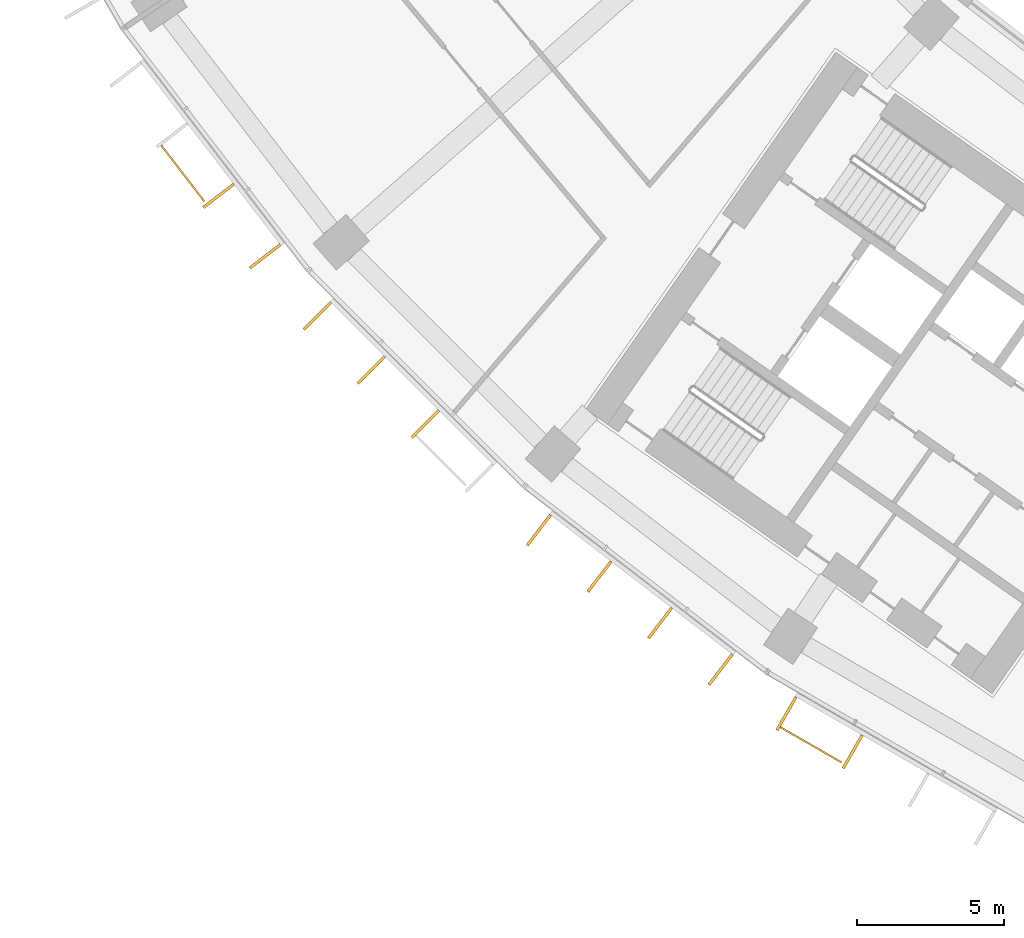
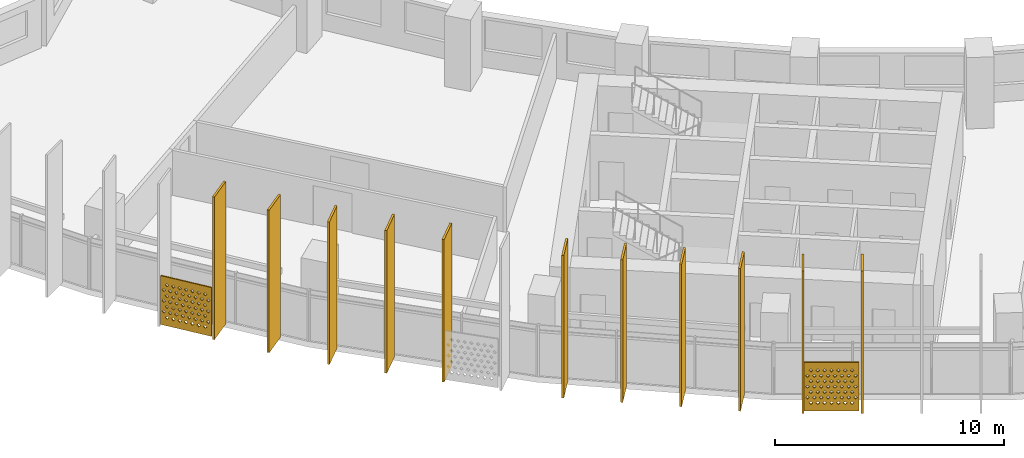
# One storey, part 23 of 30: 13 shading devices.
"""IFC4 building model written with IfcOpenShell, lengths in metres."""

from ifc_helpers import new_model, si_unit, direction, frame, origin, origin_2d, place, context, subcontext, project, spatial, polyline, rectangle, outline, extrude, material, material_profile, profile_set, type_object, element, save


model = new_model("IFC4")

# Units and contexts
model_context = context("Model", 3, precision=1e-05, world=origin(), true_north=direction((0.0, 1.0)))
body_context = subcontext(model_context, "Body", "Model", "MODEL_VIEW")
ifc_project = project(units=[si_unit("LENGTHUNIT", "METRE"), si_unit("AREAUNIT", "SQUARE_METRE"), si_unit("VOLUMEUNIT", "CUBIC_METRE"), si_unit("PLANEANGLEUNIT", "RADIAN"), si_unit("MASSUNIT", "GRAM", prefix="KILO")], contexts=[model_context])

# Site, building, storey
site_placement = place(None, origin())
site = spatial("IfcSite", under=ifc_project, at=site_placement, CompositionType="ELEMENT")
building_placement = place(site_placement, origin())
building = spatial("IfcBuilding", under=site, at=building_placement, Name="Qamariyya Broadcast Tower", CompositionType="ELEMENT")
storey_placement = place(building_placement, frame((0.0, 0.0, 110.10009765625)))
storey = spatial("IfcBuildingStorey", under=building, at=storey_placement, Name="L24", CompositionType="ELEMENT", Elevation=110.10009765625)

# Shading devices
ifc_material_1 = material(Name="Perforated glazed terracotta", Category="masonry")
ifc_material_profile_1 = material_profile(ifc_material_1, outline(polyline([(-1.199951171875, -1.300048828125), (1.199951171875, -1.300048828125), (1.199951171875, 1.300048828125), (-1.199951171875, 1.300048828125), (-1.199951171875, -1.300048828125)]), holes=[polyline([(-0.81494140625, -0.86669921875), (-0.89990234375, -0.78173828125), (-0.985107421875, -0.86669921875), (-0.89990234375, -0.95166015625), (-0.81494140625, -0.86669921875)]), polyline([(-0.514892578125, -0.86669921875), (-0.60009765625, -0.78173828125), (-0.68505859375, -0.86669921875), (-0.60009765625, -0.95166015625), (-0.514892578125, -0.86669921875)]), polyline([(-0.215087890625, -0.86669921875), (-0.300048828125, -0.78173828125), (-0.385009765625, -0.86669921875), (-0.300048828125, -0.95166015625), (-0.215087890625, -0.86669921875)]), polyline([(0.0849609375, -0.86669921875), (0.0, -0.78173828125), (-0.0849609375, -0.86669921875), (0.0, -0.95166015625), (0.0849609375, -0.86669921875)]), polyline([(0.385009765625, -0.86669921875), (0.300048828125, -0.78173828125), (0.215087890625, -0.86669921875), (0.300048828125, -0.95166015625), (0.385009765625, -0.86669921875)]), polyline([(0.68505859375, -0.86669921875), (0.60009765625, -0.78173828125), (0.514892578125, -0.86669921875), (0.60009765625, -0.95166015625), (0.68505859375, -0.86669921875)]), polyline([(0.985107421875, -0.86669921875), (0.89990234375, -0.78173828125), (0.81494140625, -0.86669921875), (0.89990234375, -0.95166015625), (0.985107421875, -0.86669921875)]), polyline([(-0.965087890625, -0.577880859375), (-1.050048828125, -0.49267578125), (-1.135009765625, -0.577880859375), (-1.050048828125, -0.662841796875), (-0.965087890625, -0.577880859375)]), polyline([(-0.6650390625, -0.577880859375), (-0.75, -0.49267578125), (-0.8349609375, -0.577880859375), (-0.75, -0.662841796875), (-0.6650390625, -0.577880859375)]), polyline([(-0.364990234375, -0.577880859375), (-0.449951171875, -0.49267578125), (-0.534912109375, -0.577880859375), (-0.449951171875, -0.662841796875), (-0.364990234375, -0.577880859375)]), polyline([(-0.06494140625, -0.577880859375), (-0.14990234375, -0.49267578125), (-0.235107421875, -0.577880859375), (-0.14990234375, -0.662841796875), (-0.06494140625, -0.577880859375)]), polyline([(0.235107421875, -0.577880859375), (0.14990234375, -0.49267578125), (0.06494140625, -0.577880859375), (0.14990234375, -0.662841796875), (0.235107421875, -0.577880859375)]), polyline([(0.534912109375, -0.577880859375), (0.449951171875, -0.49267578125), (0.364990234375, -0.577880859375), (0.449951171875, -0.662841796875), (0.534912109375, -0.577880859375)]), polyline([(0.8349609375, -0.577880859375), (0.75, -0.49267578125), (0.6650390625, -0.577880859375), (0.75, -0.662841796875), (0.8349609375, -0.577880859375)]), polyline([(1.135009765625, -0.577880859375), (1.050048828125, -0.49267578125), (0.965087890625, -0.577880859375), (1.050048828125, -0.662841796875), (1.135009765625, -0.577880859375)]), polyline([(-0.81494140625, -0.288818359375), (-0.89990234375, -0.203857421875), (-0.985107421875, -0.288818359375), (-0.89990234375, -0.373779296875), (-0.81494140625, -0.288818359375)]), polyline([(-0.514892578125, -0.288818359375), (-0.60009765625, -0.203857421875), (-0.68505859375, -0.288818359375), (-0.60009765625, -0.373779296875), (-0.514892578125, -0.288818359375)]), polyline([(-0.215087890625, -0.288818359375), (-0.300048828125, -0.203857421875), (-0.385009765625, -0.288818359375), (-0.300048828125, -0.373779296875), (-0.215087890625, -0.288818359375)]), polyline([(0.0849609375, -0.288818359375), (0.0, -0.203857421875), (-0.0849609375, -0.288818359375), (0.0, -0.373779296875), (0.0849609375, -0.288818359375)]), polyline([(0.385009765625, -0.288818359375), (0.300048828125, -0.203857421875), (0.215087890625, -0.288818359375), (0.300048828125, -0.373779296875), (0.385009765625, -0.288818359375)]), polyline([(0.68505859375, -0.288818359375), (0.60009765625, -0.203857421875), (0.514892578125, -0.288818359375), (0.60009765625, -0.373779296875), (0.68505859375, -0.288818359375)]), polyline([(0.985107421875, -0.288818359375), (0.89990234375, -0.203857421875), (0.81494140625, -0.288818359375), (0.89990234375, -0.373779296875), (0.985107421875, -0.288818359375)]), polyline([(-0.965087890625, 0.0), (-1.050048828125, 0.0849609375), (-1.135009765625, 0.0), (-1.050048828125, -0.0849609375), (-0.965087890625, 0.0)]), polyline([(-0.6650390625, 0.0), (-0.75, 0.0849609375), (-0.8349609375, 0.0), (-0.75, -0.0849609375), (-0.6650390625, 0.0)]), polyline([(-0.364990234375, 0.0), (-0.449951171875, 0.0849609375), (-0.534912109375, 0.0), (-0.449951171875, -0.0849609375), (-0.364990234375, 0.0)]), polyline([(-0.06494140625, 0.0), (-0.14990234375, 0.0849609375), (-0.235107421875, 0.0), (-0.14990234375, -0.0849609375), (-0.06494140625, 0.0)]), polyline([(0.235107421875, 0.0), (0.14990234375, 0.0849609375), (0.06494140625, 0.0), (0.14990234375, -0.0849609375), (0.235107421875, 0.0)]), polyline([(0.534912109375, 0.0), (0.449951171875, 0.0849609375), (0.364990234375, 0.0), (0.449951171875, -0.0849609375), (0.534912109375, 0.0)]), polyline([(0.8349609375, 0.0), (0.75, 0.0849609375), (0.6650390625, 0.0), (0.75, -0.0849609375), (0.8349609375, 0.0)]), polyline([(1.135009765625, 0.0), (1.050048828125, 0.0849609375), (0.965087890625, 0.0), (1.050048828125, -0.0849609375), (1.135009765625, 0.0)]), polyline([(-0.81494140625, 0.288818359375), (-0.89990234375, 0.373779296875), (-0.985107421875, 0.288818359375), (-0.89990234375, 0.203857421875), (-0.81494140625, 0.288818359375)]), polyline([(-0.514892578125, 0.288818359375), (-0.60009765625, 0.373779296875), (-0.68505859375, 0.288818359375), (-0.60009765625, 0.203857421875), (-0.514892578125, 0.288818359375)]), polyline([(-0.215087890625, 0.288818359375), (-0.300048828125, 0.373779296875), (-0.385009765625, 0.288818359375), (-0.300048828125, 0.203857421875), (-0.215087890625, 0.288818359375)]), polyline([(0.0849609375, 0.288818359375), (0.0, 0.373779296875), (-0.0849609375, 0.288818359375), (0.0, 0.203857421875), (0.0849609375, 0.288818359375)]), polyline([(0.385009765625, 0.288818359375), (0.300048828125, 0.373779296875), (0.215087890625, 0.288818359375), (0.300048828125, 0.203857421875), (0.385009765625, 0.288818359375)]), polyline([(0.68505859375, 0.288818359375), (0.60009765625, 0.373779296875), (0.514892578125, 0.288818359375), (0.60009765625, 0.203857421875), (0.68505859375, 0.288818359375)]), polyline([(0.985107421875, 0.288818359375), (0.89990234375, 0.373779296875), (0.81494140625, 0.288818359375), (0.89990234375, 0.203857421875), (0.985107421875, 0.288818359375)]), polyline([(-0.965087890625, 0.577880859375), (-1.050048828125, 0.662841796875), (-1.135009765625, 0.577880859375), (-1.050048828125, 0.49267578125), (-0.965087890625, 0.577880859375)]), polyline([(-0.6650390625, 0.577880859375), (-0.75, 0.662841796875), (-0.8349609375, 0.577880859375), (-0.75, 0.49267578125), (-0.6650390625, 0.577880859375)]), polyline([(-0.364990234375, 0.577880859375), (-0.449951171875, 0.662841796875), (-0.534912109375, 0.577880859375), (-0.449951171875, 0.49267578125), (-0.364990234375, 0.577880859375)]), polyline([(-0.06494140625, 0.577880859375), (-0.14990234375, 0.662841796875), (-0.235107421875, 0.577880859375), (-0.14990234375, 0.49267578125), (-0.06494140625, 0.577880859375)]), polyline([(0.235107421875, 0.577880859375), (0.14990234375, 0.662841796875), (0.06494140625, 0.577880859375), (0.14990234375, 0.49267578125), (0.235107421875, 0.577880859375)]), polyline([(0.534912109375, 0.577880859375), (0.449951171875, 0.662841796875), (0.364990234375, 0.577880859375), (0.449951171875, 0.49267578125), (0.534912109375, 0.577880859375)]), polyline([(0.8349609375, 0.577880859375), (0.75, 0.662841796875), (0.6650390625, 0.577880859375), (0.75, 0.49267578125), (0.8349609375, 0.577880859375)]), polyline([(1.135009765625, 0.577880859375), (1.050048828125, 0.662841796875), (0.965087890625, 0.577880859375), (1.050048828125, 0.49267578125), (1.135009765625, 0.577880859375)]), polyline([(-0.81494140625, 0.86669921875), (-0.89990234375, 0.95166015625), (-0.985107421875, 0.86669921875), (-0.89990234375, 0.78173828125), (-0.81494140625, 0.86669921875)]), polyline([(-0.514892578125, 0.86669921875), (-0.60009765625, 0.95166015625), (-0.68505859375, 0.86669921875), (-0.60009765625, 0.78173828125), (-0.514892578125, 0.86669921875)]), polyline([(-0.215087890625, 0.86669921875), (-0.300048828125, 0.95166015625), (-0.385009765625, 0.86669921875), (-0.300048828125, 0.78173828125), (-0.215087890625, 0.86669921875)]), polyline([(0.0849609375, 0.86669921875), (0.0, 0.95166015625), (-0.0849609375, 0.86669921875), (0.0, 0.78173828125), (0.0849609375, 0.86669921875)]), polyline([(0.385009765625, 0.86669921875), (0.300048828125, 0.95166015625), (0.215087890625, 0.86669921875), (0.300048828125, 0.78173828125), (0.385009765625, 0.86669921875)]), polyline([(0.68505859375, 0.86669921875), (0.60009765625, 0.95166015625), (0.514892578125, 0.86669921875), (0.60009765625, 0.78173828125), (0.68505859375, 0.86669921875)]), polyline([(0.985107421875, 0.86669921875), (0.89990234375, 0.95166015625), (0.81494140625, 0.86669921875), (0.89990234375, 0.78173828125), (0.985107421875, 0.86669921875)])]))
ifc_profile_set_1 = profile_set([ifc_material_profile_1], Name="Perforated glazed terracotta")
shading_device_type_1 = type_object("IfcShadingDeviceType", Name="Perforated terracotta screen 2400 x 2600", PredefinedType="USERDEFINED", material=ifc_profile_set_1)
shading_device_1_placement = place(storey_placement, frame((-63.814208984375, -48.907470703125, 1.349853515625), z_axis=(-0.792623989105, -0.60971076085, 0.0), x_axis=(0.60971076085, -0.792623989105, 0.0)))
element("IfcShadingDevice", 1, at=shading_device_1_placement, inside=storey, type_object=shading_device_type_1, Name="e-scr-L24-02-1", ObjectType="SCREEN", PredefinedType="USERDEFINED", context=body_context, shape_type="SweptSolid", body=[
    extrude(outline(polyline([(-1.199951171875, -1.300048828125), (1.199951171875, -1.300048828125), (1.199951171875, 1.300048828125), (-1.199951171875, 1.300048828125), (-1.199951171875, -1.300048828125)]), holes=[polyline([(-0.81494140625, -0.86669921875), (-0.89990234375, -0.78173828125), (-0.985107421875, -0.86669921875), (-0.89990234375, -0.95166015625), (-0.81494140625, -0.86669921875)]), polyline([(-0.514892578125, -0.86669921875), (-0.60009765625, -0.78173828125), (-0.68505859375, -0.86669921875), (-0.60009765625, -0.95166015625), (-0.514892578125, -0.86669921875)]), polyline([(-0.215087890625, -0.86669921875), (-0.300048828125, -0.78173828125), (-0.385009765625, -0.86669921875), (-0.300048828125, -0.95166015625), (-0.215087890625, -0.86669921875)]), polyline([(0.0849609375, -0.86669921875), (0.0, -0.78173828125), (-0.0849609375, -0.86669921875), (0.0, -0.95166015625), (0.0849609375, -0.86669921875)]), polyline([(0.385009765625, -0.86669921875), (0.300048828125, -0.78173828125), (0.215087890625, -0.86669921875), (0.300048828125, -0.95166015625), (0.385009765625, -0.86669921875)]), polyline([(0.68505859375, -0.86669921875), (0.60009765625, -0.78173828125), (0.514892578125, -0.86669921875), (0.60009765625, -0.95166015625), (0.68505859375, -0.86669921875)]), polyline([(0.985107421875, -0.86669921875), (0.89990234375, -0.78173828125), (0.81494140625, -0.86669921875), (0.89990234375, -0.95166015625), (0.985107421875, -0.86669921875)]), polyline([(-0.965087890625, -0.577880859375), (-1.050048828125, -0.49267578125), (-1.135009765625, -0.577880859375), (-1.050048828125, -0.662841796875), (-0.965087890625, -0.577880859375)]), polyline([(-0.6650390625, -0.577880859375), (-0.75, -0.49267578125), (-0.8349609375, -0.577880859375), (-0.75, -0.662841796875), (-0.6650390625, -0.577880859375)]), polyline([(-0.364990234375, -0.577880859375), (-0.449951171875, -0.49267578125), (-0.534912109375, -0.577880859375), (-0.449951171875, -0.662841796875), (-0.364990234375, -0.577880859375)]), polyline([(-0.06494140625, -0.577880859375), (-0.14990234375, -0.49267578125), (-0.235107421875, -0.577880859375), (-0.14990234375, -0.662841796875), (-0.06494140625, -0.577880859375)]), polyline([(0.235107421875, -0.577880859375), (0.14990234375, -0.49267578125), (0.06494140625, -0.577880859375), (0.14990234375, -0.662841796875), (0.235107421875, -0.577880859375)]), polyline([(0.534912109375, -0.577880859375), (0.449951171875, -0.49267578125), (0.364990234375, -0.577880859375), (0.449951171875, -0.662841796875), (0.534912109375, -0.577880859375)]), polyline([(0.8349609375, -0.577880859375), (0.75, -0.49267578125), (0.6650390625, -0.577880859375), (0.75, -0.662841796875), (0.8349609375, -0.577880859375)]), polyline([(1.135009765625, -0.577880859375), (1.050048828125, -0.49267578125), (0.965087890625, -0.577880859375), (1.050048828125, -0.662841796875), (1.135009765625, -0.577880859375)]), polyline([(-0.81494140625, -0.288818359375), (-0.89990234375, -0.203857421875), (-0.985107421875, -0.288818359375), (-0.89990234375, -0.373779296875), (-0.81494140625, -0.288818359375)]), polyline([(-0.514892578125, -0.288818359375), (-0.60009765625, -0.203857421875), (-0.68505859375, -0.288818359375), (-0.60009765625, -0.373779296875), (-0.514892578125, -0.288818359375)]), polyline([(-0.215087890625, -0.288818359375), (-0.300048828125, -0.203857421875), (-0.385009765625, -0.288818359375), (-0.300048828125, -0.373779296875), (-0.215087890625, -0.288818359375)]), polyline([(0.0849609375, -0.288818359375), (0.0, -0.203857421875), (-0.0849609375, -0.288818359375), (0.0, -0.373779296875), (0.0849609375, -0.288818359375)]), polyline([(0.385009765625, -0.288818359375), (0.300048828125, -0.203857421875), (0.215087890625, -0.288818359375), (0.300048828125, -0.373779296875), (0.385009765625, -0.288818359375)]), polyline([(0.68505859375, -0.288818359375), (0.60009765625, -0.203857421875), (0.514892578125, -0.288818359375), (0.60009765625, -0.373779296875), (0.68505859375, -0.288818359375)]), polyline([(0.985107421875, -0.288818359375), (0.89990234375, -0.203857421875), (0.81494140625, -0.288818359375), (0.89990234375, -0.373779296875), (0.985107421875, -0.288818359375)]), polyline([(-0.965087890625, 0.0), (-1.050048828125, 0.0849609375), (-1.135009765625, 0.0), (-1.050048828125, -0.0849609375), (-0.965087890625, 0.0)]), polyline([(-0.6650390625, 0.0), (-0.75, 0.0849609375), (-0.8349609375, 0.0), (-0.75, -0.0849609375), (-0.6650390625, 0.0)]), polyline([(-0.364990234375, 0.0), (-0.449951171875, 0.0849609375), (-0.534912109375, 0.0), (-0.449951171875, -0.0849609375), (-0.364990234375, 0.0)]), polyline([(-0.06494140625, 0.0), (-0.14990234375, 0.0849609375), (-0.235107421875, 0.0), (-0.14990234375, -0.0849609375), (-0.06494140625, 0.0)]), polyline([(0.235107421875, 0.0), (0.14990234375, 0.0849609375), (0.06494140625, 0.0), (0.14990234375, -0.0849609375), (0.235107421875, 0.0)]), polyline([(0.534912109375, 0.0), (0.449951171875, 0.0849609375), (0.364990234375, 0.0), (0.449951171875, -0.0849609375), (0.534912109375, 0.0)]), polyline([(0.8349609375, 0.0), (0.75, 0.0849609375), (0.6650390625, 0.0), (0.75, -0.0849609375), (0.8349609375, 0.0)]), polyline([(1.135009765625, 0.0), (1.050048828125, 0.0849609375), (0.965087890625, 0.0), (1.050048828125, -0.0849609375), (1.135009765625, 0.0)]), polyline([(-0.81494140625, 0.288818359375), (-0.89990234375, 0.373779296875), (-0.985107421875, 0.288818359375), (-0.89990234375, 0.203857421875), (-0.81494140625, 0.288818359375)]), polyline([(-0.514892578125, 0.288818359375), (-0.60009765625, 0.373779296875), (-0.68505859375, 0.288818359375), (-0.60009765625, 0.203857421875), (-0.514892578125, 0.288818359375)]), polyline([(-0.215087890625, 0.288818359375), (-0.300048828125, 0.373779296875), (-0.385009765625, 0.288818359375), (-0.300048828125, 0.203857421875), (-0.215087890625, 0.288818359375)]), polyline([(0.0849609375, 0.288818359375), (0.0, 0.373779296875), (-0.0849609375, 0.288818359375), (0.0, 0.203857421875), (0.0849609375, 0.288818359375)]), polyline([(0.385009765625, 0.288818359375), (0.300048828125, 0.373779296875), (0.215087890625, 0.288818359375), (0.300048828125, 0.203857421875), (0.385009765625, 0.288818359375)]), polyline([(0.68505859375, 0.288818359375), (0.60009765625, 0.373779296875), (0.514892578125, 0.288818359375), (0.60009765625, 0.203857421875), (0.68505859375, 0.288818359375)]), polyline([(0.985107421875, 0.288818359375), (0.89990234375, 0.373779296875), (0.81494140625, 0.288818359375), (0.89990234375, 0.203857421875), (0.985107421875, 0.288818359375)]), polyline([(-0.965087890625, 0.577880859375), (-1.050048828125, 0.662841796875), (-1.135009765625, 0.577880859375), (-1.050048828125, 0.49267578125), (-0.965087890625, 0.577880859375)]), polyline([(-0.6650390625, 0.577880859375), (-0.75, 0.662841796875), (-0.8349609375, 0.577880859375), (-0.75, 0.49267578125), (-0.6650390625, 0.577880859375)]), polyline([(-0.364990234375, 0.577880859375), (-0.449951171875, 0.662841796875), (-0.534912109375, 0.577880859375), (-0.449951171875, 0.49267578125), (-0.364990234375, 0.577880859375)]), polyline([(-0.06494140625, 0.577880859375), (-0.14990234375, 0.662841796875), (-0.235107421875, 0.577880859375), (-0.14990234375, 0.49267578125), (-0.06494140625, 0.577880859375)]), polyline([(0.235107421875, 0.577880859375), (0.14990234375, 0.662841796875), (0.06494140625, 0.577880859375), (0.14990234375, 0.49267578125), (0.235107421875, 0.577880859375)]), polyline([(0.534912109375, 0.577880859375), (0.449951171875, 0.662841796875), (0.364990234375, 0.577880859375), (0.449951171875, 0.49267578125), (0.534912109375, 0.577880859375)]), polyline([(0.8349609375, 0.577880859375), (0.75, 0.662841796875), (0.6650390625, 0.577880859375), (0.75, 0.49267578125), (0.8349609375, 0.577880859375)]), polyline([(1.135009765625, 0.577880859375), (1.050048828125, 0.662841796875), (0.965087890625, 0.577880859375), (1.050048828125, 0.49267578125), (1.135009765625, 0.577880859375)]), polyline([(-0.81494140625, 0.86669921875), (-0.89990234375, 0.95166015625), (-0.985107421875, 0.86669921875), (-0.89990234375, 0.78173828125), (-0.81494140625, 0.86669921875)]), polyline([(-0.514892578125, 0.86669921875), (-0.60009765625, 0.95166015625), (-0.68505859375, 0.86669921875), (-0.60009765625, 0.78173828125), (-0.514892578125, 0.86669921875)]), polyline([(-0.215087890625, 0.86669921875), (-0.300048828125, 0.95166015625), (-0.385009765625, 0.86669921875), (-0.300048828125, 0.78173828125), (-0.215087890625, 0.86669921875)]), polyline([(0.0849609375, 0.86669921875), (0.0, 0.95166015625), (-0.0849609375, 0.86669921875), (0.0, 0.78173828125), (0.0849609375, 0.86669921875)]), polyline([(0.385009765625, 0.86669921875), (0.300048828125, 0.95166015625), (0.215087890625, 0.86669921875), (0.300048828125, 0.78173828125), (0.385009765625, 0.86669921875)]), polyline([(0.68505859375, 0.86669921875), (0.60009765625, 0.95166015625), (0.514892578125, 0.86669921875), (0.60009765625, 0.78173828125), (0.68505859375, 0.86669921875)]), polyline([(0.985107421875, 0.86669921875), (0.89990234375, 0.95166015625), (0.81494140625, 0.86669921875), (0.89990234375, 0.78173828125), (0.985107421875, 0.86669921875)])]), origin(), (0.0, 0.0, 1.0), 0.06005859375),
])
shading_device_2_placement = place(storey_placement, frame((-42.486328125, -68.30859375, 1.349853515625), z_axis=(-0.500074377092, -0.865982457891, 0.0), x_axis=(0.865982457891, -0.500074377092, 0.0)))
element("IfcShadingDevice", 2, at=shading_device_2_placement, inside=storey, type_object=shading_device_type_1, Name="e-scr-L24-05-0", ObjectType="SCREEN", PredefinedType="USERDEFINED", context=body_context, shape_type="SweptSolid", body=[
    extrude(outline(polyline([(-1.199951171875, -1.300048828125), (1.199951171875, -1.300048828125), (1.199951171875, 1.300048828125), (-1.199951171875, 1.300048828125), (-1.199951171875, -1.300048828125)]), holes=[polyline([(-0.81494140625, -0.86669921875), (-0.89990234375, -0.78173828125), (-0.985107421875, -0.86669921875), (-0.89990234375, -0.95166015625), (-0.81494140625, -0.86669921875)]), polyline([(-0.514892578125, -0.86669921875), (-0.60009765625, -0.78173828125), (-0.68505859375, -0.86669921875), (-0.60009765625, -0.95166015625), (-0.514892578125, -0.86669921875)]), polyline([(-0.215087890625, -0.86669921875), (-0.300048828125, -0.78173828125), (-0.385009765625, -0.86669921875), (-0.300048828125, -0.95166015625), (-0.215087890625, -0.86669921875)]), polyline([(0.0849609375, -0.86669921875), (0.0, -0.78173828125), (-0.0849609375, -0.86669921875), (0.0, -0.95166015625), (0.0849609375, -0.86669921875)]), polyline([(0.385009765625, -0.86669921875), (0.300048828125, -0.78173828125), (0.215087890625, -0.86669921875), (0.300048828125, -0.95166015625), (0.385009765625, -0.86669921875)]), polyline([(0.68505859375, -0.86669921875), (0.60009765625, -0.78173828125), (0.514892578125, -0.86669921875), (0.60009765625, -0.95166015625), (0.68505859375, -0.86669921875)]), polyline([(0.985107421875, -0.86669921875), (0.89990234375, -0.78173828125), (0.81494140625, -0.86669921875), (0.89990234375, -0.95166015625), (0.985107421875, -0.86669921875)]), polyline([(-0.965087890625, -0.577880859375), (-1.050048828125, -0.49267578125), (-1.135009765625, -0.577880859375), (-1.050048828125, -0.662841796875), (-0.965087890625, -0.577880859375)]), polyline([(-0.6650390625, -0.577880859375), (-0.75, -0.49267578125), (-0.8349609375, -0.577880859375), (-0.75, -0.662841796875), (-0.6650390625, -0.577880859375)]), polyline([(-0.364990234375, -0.577880859375), (-0.449951171875, -0.49267578125), (-0.534912109375, -0.577880859375), (-0.449951171875, -0.662841796875), (-0.364990234375, -0.577880859375)]), polyline([(-0.06494140625, -0.577880859375), (-0.14990234375, -0.49267578125), (-0.235107421875, -0.577880859375), (-0.14990234375, -0.662841796875), (-0.06494140625, -0.577880859375)]), polyline([(0.235107421875, -0.577880859375), (0.14990234375, -0.49267578125), (0.06494140625, -0.577880859375), (0.14990234375, -0.662841796875), (0.235107421875, -0.577880859375)]), polyline([(0.534912109375, -0.577880859375), (0.449951171875, -0.49267578125), (0.364990234375, -0.577880859375), (0.449951171875, -0.662841796875), (0.534912109375, -0.577880859375)]), polyline([(0.8349609375, -0.577880859375), (0.75, -0.49267578125), (0.6650390625, -0.577880859375), (0.75, -0.662841796875), (0.8349609375, -0.577880859375)]), polyline([(1.135009765625, -0.577880859375), (1.050048828125, -0.49267578125), (0.965087890625, -0.577880859375), (1.050048828125, -0.662841796875), (1.135009765625, -0.577880859375)]), polyline([(-0.81494140625, -0.288818359375), (-0.89990234375, -0.203857421875), (-0.985107421875, -0.288818359375), (-0.89990234375, -0.373779296875), (-0.81494140625, -0.288818359375)]), polyline([(-0.514892578125, -0.288818359375), (-0.60009765625, -0.203857421875), (-0.68505859375, -0.288818359375), (-0.60009765625, -0.373779296875), (-0.514892578125, -0.288818359375)]), polyline([(-0.215087890625, -0.288818359375), (-0.300048828125, -0.203857421875), (-0.385009765625, -0.288818359375), (-0.300048828125, -0.373779296875), (-0.215087890625, -0.288818359375)]), polyline([(0.0849609375, -0.288818359375), (0.0, -0.203857421875), (-0.0849609375, -0.288818359375), (0.0, -0.373779296875), (0.0849609375, -0.288818359375)]), polyline([(0.385009765625, -0.288818359375), (0.300048828125, -0.203857421875), (0.215087890625, -0.288818359375), (0.300048828125, -0.373779296875), (0.385009765625, -0.288818359375)]), polyline([(0.68505859375, -0.288818359375), (0.60009765625, -0.203857421875), (0.514892578125, -0.288818359375), (0.60009765625, -0.373779296875), (0.68505859375, -0.288818359375)]), polyline([(0.985107421875, -0.288818359375), (0.89990234375, -0.203857421875), (0.81494140625, -0.288818359375), (0.89990234375, -0.373779296875), (0.985107421875, -0.288818359375)]), polyline([(-0.965087890625, 0.0), (-1.050048828125, 0.0849609375), (-1.135009765625, 0.0), (-1.050048828125, -0.0849609375), (-0.965087890625, 0.0)]), polyline([(-0.6650390625, 0.0), (-0.75, 0.0849609375), (-0.8349609375, 0.0), (-0.75, -0.0849609375), (-0.6650390625, 0.0)]), polyline([(-0.364990234375, 0.0), (-0.449951171875, 0.0849609375), (-0.534912109375, 0.0), (-0.449951171875, -0.0849609375), (-0.364990234375, 0.0)]), polyline([(-0.06494140625, 0.0), (-0.14990234375, 0.0849609375), (-0.235107421875, 0.0), (-0.14990234375, -0.0849609375), (-0.06494140625, 0.0)]), polyline([(0.235107421875, 0.0), (0.14990234375, 0.0849609375), (0.06494140625, 0.0), (0.14990234375, -0.0849609375), (0.235107421875, 0.0)]), polyline([(0.534912109375, 0.0), (0.449951171875, 0.0849609375), (0.364990234375, 0.0), (0.449951171875, -0.0849609375), (0.534912109375, 0.0)]), polyline([(0.8349609375, 0.0), (0.75, 0.0849609375), (0.6650390625, 0.0), (0.75, -0.0849609375), (0.8349609375, 0.0)]), polyline([(1.135009765625, 0.0), (1.050048828125, 0.0849609375), (0.965087890625, 0.0), (1.050048828125, -0.0849609375), (1.135009765625, 0.0)]), polyline([(-0.81494140625, 0.288818359375), (-0.89990234375, 0.373779296875), (-0.985107421875, 0.288818359375), (-0.89990234375, 0.203857421875), (-0.81494140625, 0.288818359375)]), polyline([(-0.514892578125, 0.288818359375), (-0.60009765625, 0.373779296875), (-0.68505859375, 0.288818359375), (-0.60009765625, 0.203857421875), (-0.514892578125, 0.288818359375)]), polyline([(-0.215087890625, 0.288818359375), (-0.300048828125, 0.373779296875), (-0.385009765625, 0.288818359375), (-0.300048828125, 0.203857421875), (-0.215087890625, 0.288818359375)]), polyline([(0.0849609375, 0.288818359375), (0.0, 0.373779296875), (-0.0849609375, 0.288818359375), (0.0, 0.203857421875), (0.0849609375, 0.288818359375)]), polyline([(0.385009765625, 0.288818359375), (0.300048828125, 0.373779296875), (0.215087890625, 0.288818359375), (0.300048828125, 0.203857421875), (0.385009765625, 0.288818359375)]), polyline([(0.68505859375, 0.288818359375), (0.60009765625, 0.373779296875), (0.514892578125, 0.288818359375), (0.60009765625, 0.203857421875), (0.68505859375, 0.288818359375)]), polyline([(0.985107421875, 0.288818359375), (0.89990234375, 0.373779296875), (0.81494140625, 0.288818359375), (0.89990234375, 0.203857421875), (0.985107421875, 0.288818359375)]), polyline([(-0.965087890625, 0.577880859375), (-1.050048828125, 0.662841796875), (-1.135009765625, 0.577880859375), (-1.050048828125, 0.49267578125), (-0.965087890625, 0.577880859375)]), polyline([(-0.6650390625, 0.577880859375), (-0.75, 0.662841796875), (-0.8349609375, 0.577880859375), (-0.75, 0.49267578125), (-0.6650390625, 0.577880859375)]), polyline([(-0.364990234375, 0.577880859375), (-0.449951171875, 0.662841796875), (-0.534912109375, 0.577880859375), (-0.449951171875, 0.49267578125), (-0.364990234375, 0.577880859375)]), polyline([(-0.06494140625, 0.577880859375), (-0.14990234375, 0.662841796875), (-0.235107421875, 0.577880859375), (-0.14990234375, 0.49267578125), (-0.06494140625, 0.577880859375)]), polyline([(0.235107421875, 0.577880859375), (0.14990234375, 0.662841796875), (0.06494140625, 0.577880859375), (0.14990234375, 0.49267578125), (0.235107421875, 0.577880859375)]), polyline([(0.534912109375, 0.577880859375), (0.449951171875, 0.662841796875), (0.364990234375, 0.577880859375), (0.449951171875, 0.49267578125), (0.534912109375, 0.577880859375)]), polyline([(0.8349609375, 0.577880859375), (0.75, 0.662841796875), (0.6650390625, 0.577880859375), (0.75, 0.49267578125), (0.8349609375, 0.577880859375)]), polyline([(1.135009765625, 0.577880859375), (1.050048828125, 0.662841796875), (0.965087890625, 0.577880859375), (1.050048828125, 0.49267578125), (1.135009765625, 0.577880859375)]), polyline([(-0.81494140625, 0.86669921875), (-0.89990234375, 0.95166015625), (-0.985107421875, 0.86669921875), (-0.89990234375, 0.78173828125), (-0.81494140625, 0.86669921875)]), polyline([(-0.514892578125, 0.86669921875), (-0.60009765625, 0.95166015625), (-0.68505859375, 0.86669921875), (-0.60009765625, 0.78173828125), (-0.514892578125, 0.86669921875)]), polyline([(-0.215087890625, 0.86669921875), (-0.300048828125, 0.95166015625), (-0.385009765625, 0.86669921875), (-0.300048828125, 0.78173828125), (-0.215087890625, 0.86669921875)]), polyline([(0.0849609375, 0.86669921875), (0.0, 0.95166015625), (-0.0849609375, 0.86669921875), (0.0, 0.78173828125), (0.0849609375, 0.86669921875)]), polyline([(0.385009765625, 0.86669921875), (0.300048828125, 0.95166015625), (0.215087890625, 0.86669921875), (0.300048828125, 0.78173828125), (0.385009765625, 0.86669921875)]), polyline([(0.68505859375, 0.86669921875), (0.60009765625, 0.95166015625), (0.514892578125, 0.86669921875), (0.60009765625, 0.78173828125), (0.68505859375, 0.86669921875)]), polyline([(0.985107421875, 0.86669921875), (0.89990234375, 0.95166015625), (0.81494140625, 0.86669921875), (0.89990234375, 0.78173828125), (0.985107421875, 0.86669921875)])]), origin(), (0.0, 0.0, 1.0), 0.06005859375),
])
ifc_material_2 = material(Name="Glazed terracotta", Category="masonry")
ifc_material_profile_2 = material_profile(ifc_material_2, rectangle(XDim=1.300048828125, YDim=0.10009765625, at=origin_2d()))
ifc_profile_set_2 = profile_set([ifc_material_profile_2], Name="Glazed terracotta")
shading_device_type_2 = type_object("IfcShadingDeviceType", Name="Terracotta fin 100 x 1300", PredefinedType="USERDEFINED", material=ifc_profile_set_2)
for number, where, z_axis, x_axis, name in (
    (3, (-62.62353515625, -49.68701171875, 0.0), (0.0, 0.0, 1.0), (-0.793353340291, -0.608761429009, 0.0), "e-fin-L24-02-2"),
    (4, (-61.044921875, -51.744384765625, 0.0), (0.0, 0.0, 1.0), (-0.793353340291, -0.608761429009, 0.0), "e-fin-L24-02-3"),
    (5, (-59.269775390625, -53.7685546875, 0.0), (0.0, 0.0, 1.0), (-0.707106781187, -0.707106781187, 0.0), "e-fin-L24-03-0"),
    (6, (-57.43603515625, -55.602294921875, 0.0), (0.0, 0.0, 1.0), (-0.707106781187, -0.707106781187, 0.0), "e-fin-L24-03-1"),
    (7, (-55.602294921875, -57.43603515625, 0.0), (0.0, 0.0, 1.0), (-0.707106781187, -0.707106781187, 0.0), "e-fin-L24-03-2"),
    (8, (-51.744384765625, -61.044921875, 0.0), (0.0, 0.0, 1.0), (-0.608761429009, -0.793353340291, 0.0), "e-fin-L24-04-0"),
    (9, (-49.68701171875, -62.62353515625, 0.0), (0.0, 0.0, 1.0), (-0.608761429009, -0.793353340291, 0.0), "e-fin-L24-04-1"),
    (10, (-47.629638671875, -64.2021484375, 0.0), (0.0, 0.0, 1.0), (-0.608761429009, -0.793353340291, 0.0), "e-fin-L24-04-2"),
    (11, (-45.572509765625, -65.781005859375, 0.0), (0.0, 0.0, 1.0), (-0.608761429009, -0.793353340291, 0.0), "e-fin-L24-04-3"),
    (12, (-43.333740234375, -67.276611328125, 0.0), (0.0, 0.0, 1.0), (-0.5, -0.866025403784, 0.0), "e-fin-L24-05-0"),
    (13, (-41.087890625, -68.5732421875, 0.0), (0.0, 0.0, 1.0), (-0.5, -0.866025403784, 0.0), "e-fin-L24-05-1"),
):
    element("IfcShadingDevice", number, at=place(storey_placement, frame(where, z_axis=z_axis, x_axis=x_axis)), inside=storey, type_object=shading_device_type_2, Name=name, ObjectType="FIN", PredefinedType="USERDEFINED", context=body_context, shape_type="SweptSolid", body=[
        extrude(rectangle(XDim=1.300048828125, YDim=0.10009765625, at=origin_2d()), origin(), (0.0, 0.0, 1.0), 7.599853515625),
    ])

save(model, "model.ifc")
